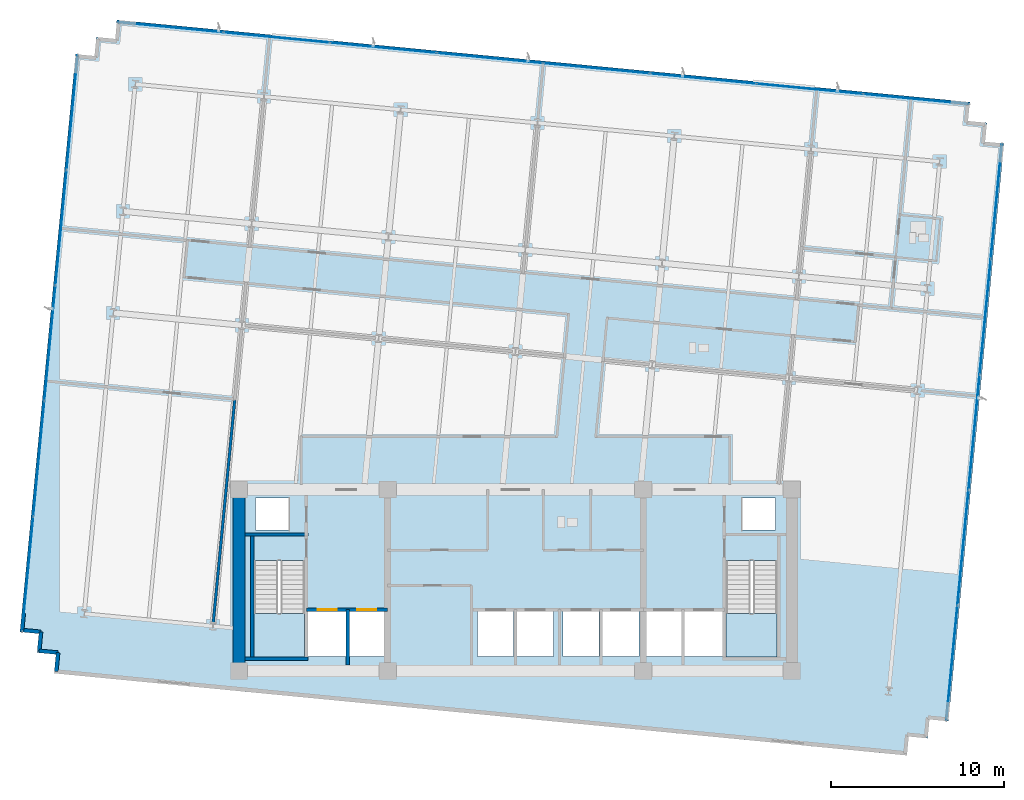
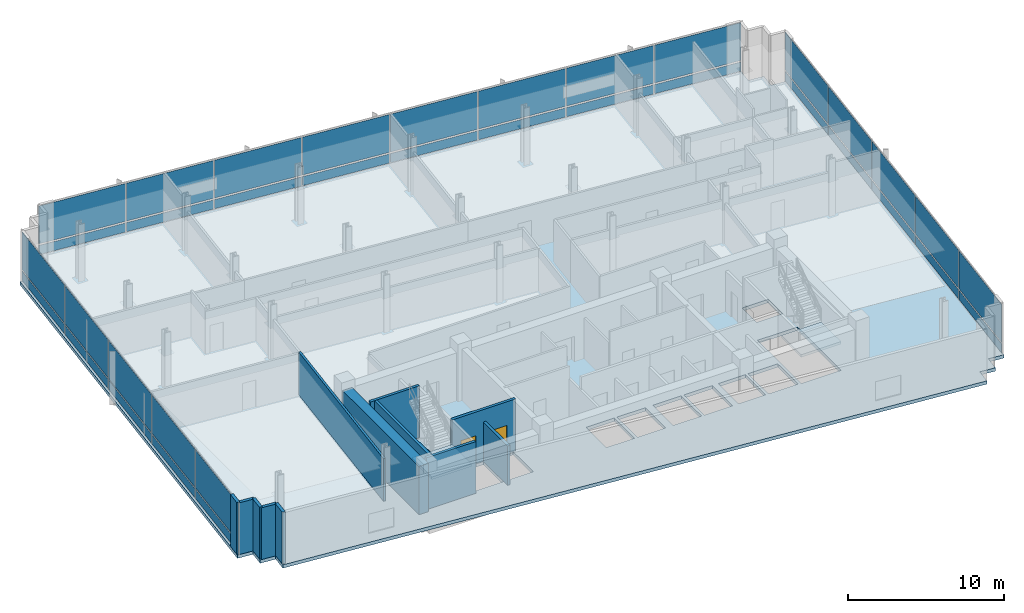
# One storey, part 10 of 17: 36 plates, 12 walls, 3 slabs, 2 doors, 2 openings, 5 elements without a shape of their own.
"""IFC4 building model written with IfcOpenShell, lengths in metres."""

from ifc_helpers import new_model, si_unit, direction, frame, frame_2d, origin, origin_2d, place, context, subcontext, project, spatial, polyline, rectangle, outline, extrude, material, layer, layer_set, type_object, element, fill, aggregate, save


model = new_model("IFC4")

# Units and contexts
model_context = context("Model", 3, precision=1e-05, world=origin(), true_north=direction((0.0, 1.0)))
body_context = subcontext(model_context, "Body", "Model", "MODEL_VIEW")
ifc_project = project(units=[si_unit("LENGTHUNIT", "METRE"), si_unit("AREAUNIT", "SQUARE_METRE"), si_unit("VOLUMEUNIT", "CUBIC_METRE"), si_unit("PLANEANGLEUNIT", "RADIAN"), si_unit("MASSUNIT", "GRAM", prefix="KILO")], contexts=[model_context])

# Site, building, storey
site_placement = place(None, origin())
site = spatial("IfcSite", under=ifc_project, at=site_placement, CompositionType="ELEMENT")
building_placement = place(site_placement, origin())
building = spatial("IfcBuilding", under=site, at=building_placement, Name="Solmavex Isthmus Hotel", CompositionType="ELEMENT")
storey_placement = place(building_placement, frame((0.0, 0.0, 181.800048828125)))
storey = spatial("IfcBuildingStorey", under=building, at=storey_placement, Name="L49", CompositionType="ELEMENT", Elevation=181.800048828125)

# Curtain wall, plates
ifc_material_1 = material(Name="Aluminium alloy 6063-T6", Category="aluminium")
curtain_wall_type = type_object("IfcCurtainWallType", Name="CW-SYS-05", PredefinedType="NOTDEFINED", material=ifc_material_1)
curtain_wall_1_placement = place(storey_placement, origin())
curtain_wall_1 = element("IfcCurtainWall", 1, at=curtain_wall_1_placement, inside=storey, type_object=curtain_wall_type, Name="Stick Curtain Wall CWL-L49-N1", PredefinedType="NOTDEFINED")
ifc_material_2 = material(Name="Clear low-E laminated glass", Category="glass")
ifc_layer_1 = layer(ifc_material_2, 0.0380859375)
ifc_layer_set_1 = layer_set([ifc_layer_1], Name="Clear low-E laminated glass")
plate_type = type_object("IfcPlateType", Name="CW-SYS-05-PNL", PredefinedType="CURTAIN_PANEL", material=ifc_layer_set_1)
plate_1_placement = place(storey_placement, frame((-19.974365234375, 24.271484375, 0.125), z_axis=(0.0, 0.0, 1.0), x_axis=(0.995396216037, -0.09584556901, 0.0)))
plate_1 = element("IfcPlate", 2, at=plate_1_placement, type_object=plate_type, Name="CW-05 panel 1.1", PredefinedType="CURTAIN_PANEL", context=body_context, shape_type="SweptSolid", body=[
    extrude(rectangle(XDim=6.1025390625, YDim=0.0380859375, at=origin_2d()), origin(), (0.0, 0.0, 1.0), 0.71240234375),
])
plate_2_placement = place(storey_placement, frame((-19.974365234375, 24.271484375, 0.96240234375), z_axis=(0.0, 0.0, 1.0), x_axis=(0.995396216037, -0.09584556901, 0.0)))
plate_2 = element("IfcPlate", 3, at=plate_2_placement, type_object=plate_type, Name="CW-05 panel 1.2", PredefinedType="CURTAIN_PANEL", context=body_context, shape_type="SweptSolid", body=[
    extrude(rectangle(XDim=6.1025390625, YDim=0.0380859375, at=origin_2d()), origin(), (0.0, 0.0, 1.0), 2.96240234375),
])
plate_3_placement = place(storey_placement, frame((-13.819091796875, 23.6787109375, 0.125), z_axis=(0.0, 0.0, 1.0), x_axis=(0.995396216037, -0.09584556901, 0.0)))
plate_3 = element("IfcPlate", 4, at=plate_3_placement, type_object=plate_type, Name="CW-05 panel 2.1", PredefinedType="CURTAIN_PANEL", context=body_context, shape_type="SweptSolid", body=[
    extrude(rectangle(XDim=6.135009765625, YDim=0.0380859375, at=origin_2d()), origin(), (0.0, 0.0, 1.0), 0.71240234375),
])
plate_4_placement = place(storey_placement, frame((-13.819091796875, 23.6787109375, 0.96240234375), z_axis=(0.0, 0.0, 1.0), x_axis=(0.995396216037, -0.09584556901, 0.0)))
plate_4 = element("IfcPlate", 5, at=plate_4_placement, type_object=plate_type, Name="CW-05 panel 2.2", PredefinedType="CURTAIN_PANEL", context=body_context, shape_type="SweptSolid", body=[
    extrude(rectangle(XDim=6.135009765625, YDim=0.0380859375, at=origin_2d()), origin(), (0.0, 0.0, 1.0), 2.96240234375),
])
plate_5_placement = place(storey_placement, frame((-7.647705078125, 23.08447265625, 0.125), z_axis=(0.0, 0.0, 1.0), x_axis=(0.995396216037, -0.09584556901, 0.0)))
plate_5 = element("IfcPlate", 6, at=plate_5_placement, type_object=plate_type, Name="CW-05 panel 3.1", PredefinedType="CURTAIN_PANEL", context=body_context, shape_type="SweptSolid", body=[
    extrude(rectangle(XDim=6.135009765625, YDim=0.0380859375, at=origin_2d()), origin(), (0.0, 0.0, 1.0), 0.71240234375),
])
plate_6_placement = place(storey_placement, frame((-7.647705078125, 23.08447265625, 0.96240234375), z_axis=(0.0, 0.0, 1.0), x_axis=(0.995396216037, -0.09584556901, 0.0)))
plate_6 = element("IfcPlate", 7, at=plate_6_placement, type_object=plate_type, Name="CW-05 panel 3.2", PredefinedType="CURTAIN_PANEL", context=body_context, shape_type="SweptSolid", body=[
    extrude(rectangle(XDim=6.135009765625, YDim=0.0380859375, at=origin_2d()), origin(), (0.0, 0.0, 1.0), 2.96240234375),
])
plate_7_placement = place(storey_placement, frame((-1.47607421875, 22.490234375, 0.125), z_axis=(0.0, 0.0, 1.0), x_axis=(0.995396216037, -0.09584556901, 0.0)))
plate_7 = element("IfcPlate", 8, at=plate_7_placement, type_object=plate_type, Name="CW-05 panel 4.1", PredefinedType="CURTAIN_PANEL", context=body_context, shape_type="SweptSolid", body=[
    extrude(rectangle(XDim=6.135009765625, YDim=0.0380859375, at=origin_2d()), origin(), (0.0, 0.0, 1.0), 0.71240234375),
])
plate_8_placement = place(storey_placement, frame((-1.47607421875, 22.490234375, 0.96240234375), z_axis=(0.0, 0.0, 1.0), x_axis=(0.995396216037, -0.09584556901, 0.0)))
plate_8 = element("IfcPlate", 9, at=plate_8_placement, type_object=plate_type, Name="CW-05 panel 4.2", PredefinedType="CURTAIN_PANEL", context=body_context, shape_type="SweptSolid", body=[
    extrude(rectangle(XDim=6.135009765625, YDim=0.0380859375, at=origin_2d()), origin(), (0.0, 0.0, 1.0), 2.96240234375),
])
plate_9_placement = place(storey_placement, frame((4.6953125, 21.89599609375, 0.125), z_axis=(0.0, 0.0, 1.0), x_axis=(0.995396216037, -0.09584556901, 0.0)))
plate_9 = element("IfcPlate", 10, at=plate_9_placement, type_object=plate_type, Name="CW-05 panel 5.1", PredefinedType="CURTAIN_PANEL", context=body_context, shape_type="SweptSolid", body=[
    extrude(rectangle(XDim=6.135009765625, YDim=0.0380859375, at=origin_2d()), origin(), (0.0, 0.0, 1.0), 0.71240234375),
])
plate_10_placement = place(storey_placement, frame((4.6953125, 21.89599609375, 0.96240234375), z_axis=(0.0, 0.0, 1.0), x_axis=(0.995396216037, -0.09584556901, 0.0)))
plate_10 = element("IfcPlate", 11, at=plate_10_placement, type_object=plate_type, Name="CW-05 panel 5.2", PredefinedType="CURTAIN_PANEL", context=body_context, shape_type="SweptSolid", body=[
    extrude(rectangle(XDim=6.135009765625, YDim=0.0380859375, at=origin_2d()), origin(), (0.0, 0.0, 1.0), 2.96240234375),
])
plate_11_placement = place(storey_placement, frame((10.86669921875, 21.3017578125, 0.125), z_axis=(0.0, 0.0, 1.0), x_axis=(0.995396216037, -0.09584556901, 0.0)))
plate_11 = element("IfcPlate", 12, at=plate_11_placement, type_object=plate_type, Name="CW-05 panel 6.1", PredefinedType="CURTAIN_PANEL", context=body_context, shape_type="SweptSolid", body=[
    extrude(rectangle(XDim=6.135009765625, YDim=0.0380859375, at=origin_2d()), origin(), (0.0, 0.0, 1.0), 0.71240234375),
])
plate_12_placement = place(storey_placement, frame((10.86669921875, 21.3017578125, 0.96240234375), z_axis=(0.0, 0.0, 1.0), x_axis=(0.995396216037, -0.09584556901, 0.0)))
plate_12 = element("IfcPlate", 13, at=plate_12_placement, type_object=plate_type, Name="CW-05 panel 6.2", PredefinedType="CURTAIN_PANEL", context=body_context, shape_type="SweptSolid", body=[
    extrude(rectangle(XDim=6.135009765625, YDim=0.0380859375, at=origin_2d()), origin(), (0.0, 0.0, 1.0), 2.96240234375),
])
plate_13_placement = place(storey_placement, frame((17.0380859375, 20.70751953125, 0.125), z_axis=(0.0, 0.0, 1.0), x_axis=(0.995396216037, -0.09584556901, 0.0)))
plate_13 = element("IfcPlate", 14, at=plate_13_placement, type_object=plate_type, Name="CW-05 panel 7.1", PredefinedType="CURTAIN_PANEL", context=body_context, shape_type="SweptSolid", body=[
    extrude(rectangle(XDim=6.135009765625, YDim=0.0380859375, at=origin_2d()), origin(), (0.0, 0.0, 1.0), 0.71240234375),
])
plate_14_placement = place(storey_placement, frame((17.0380859375, 20.70751953125, 0.96240234375), z_axis=(0.0, 0.0, 1.0), x_axis=(0.995396216037, -0.09584556901, 0.0)))
plate_14 = element("IfcPlate", 15, at=plate_14_placement, type_object=plate_type, Name="CW-05 panel 7.2", PredefinedType="CURTAIN_PANEL", context=body_context, shape_type="SweptSolid", body=[
    extrude(rectangle(XDim=6.135009765625, YDim=0.0380859375, at=origin_2d()), origin(), (0.0, 0.0, 1.0), 2.96240234375),
])
plate_15_placement = place(storey_placement, frame((23.193603515625, 20.11474609375, 0.125), z_axis=(0.0, 0.0, 1.0), x_axis=(0.995396216037, -0.09584556901, 0.0)))
plate_15 = element("IfcPlate", 16, at=plate_15_placement, type_object=plate_type, Name="CW-05 panel 8.1", PredefinedType="CURTAIN_PANEL", context=body_context, shape_type="SweptSolid", body=[
    extrude(rectangle(XDim=6.1025390625, YDim=0.0380859375, at=origin_2d()), origin(), (0.0, 0.0, 1.0), 0.71240234375),
])
plate_16_placement = place(storey_placement, frame((23.193603515625, 20.11474609375, 0.96240234375), z_axis=(0.0, 0.0, 1.0), x_axis=(0.995396216037, -0.09584556901, 0.0)))
plate_16 = element("IfcPlate", 17, at=plate_16_placement, type_object=plate_type, Name="CW-05 panel 8.2", PredefinedType="CURTAIN_PANEL", context=body_context, shape_type="SweptSolid", body=[
    extrude(rectangle(XDim=6.1025390625, YDim=0.0380859375, at=origin_2d()), origin(), (0.0, 0.0, 1.0), 2.96240234375),
])
aggregate(curtain_wall_1, [plate_1, plate_2, plate_3, plate_4, plate_5, plate_6, plate_7, plate_8, plate_9, plate_10, plate_11, plate_12, plate_13, plate_14, plate_15, plate_16])

curtain_wall_2_placement = place(storey_placement, origin())
curtain_wall_2 = element("IfcCurtainWall", 18, at=curtain_wall_2_placement, inside=storey, type_object=curtain_wall_type, Name="Stick Curtain Wall CWL-L49-W1", PredefinedType="NOTDEFINED")
plate_17_placement = place(storey_placement, frame((-28.242919921875, -7.385498046875, 0.125), z_axis=(0.0, 0.0, 1.0), x_axis=(0.09584583902, 0.995396190038, 0.0)))
plate_17 = element("IfcPlate", 19, at=plate_17_placement, type_object=plate_type, Name="CW-05 panel 1.1", PredefinedType="CURTAIN_PANEL", context=body_context, shape_type="SweptSolid", body=[
    extrude(rectangle(XDim=6.62255859375, YDim=0.0380859375, at=origin_2d()), origin(), (0.0, 0.0, 1.0), 0.71240234375),
])
plate_18_placement = place(storey_placement, frame((-28.242919921875, -7.385498046875, 0.96240234375), z_axis=(0.0, 0.0, 1.0), x_axis=(0.09584583902, 0.995396190038, 0.0)))
plate_18 = element("IfcPlate", 20, at=plate_18_placement, type_object=plate_type, Name="CW-05 panel 1.2", PredefinedType="CURTAIN_PANEL", context=body_context, shape_type="SweptSolid", body=[
    extrude(rectangle(XDim=6.62255859375, YDim=0.0380859375, at=origin_2d()), origin(), (0.0, 0.0, 1.0), 2.96240234375),
])
plate_19_placement = place(storey_placement, frame((-27.600341796875, -0.712646484375, 0.125), z_axis=(0.0, 0.0, 1.0), x_axis=(0.09584583902, 0.995396190038, 0.0)))
plate_19 = element("IfcPlate", 21, at=plate_19_placement, type_object=plate_type, Name="CW-05 panel 2.1", PredefinedType="CURTAIN_PANEL", context=body_context, shape_type="SweptSolid", body=[
    extrude(rectangle(XDim=6.655029296875, YDim=0.0380859375, at=origin_2d()), origin(), (0.0, 0.0, 1.0), 0.71240234375),
])
plate_20_placement = place(storey_placement, frame((-27.600341796875, -0.712646484375, 0.96240234375), z_axis=(0.0, 0.0, 1.0), x_axis=(0.09584583902, 0.995396190038, 0.0)))
plate_20 = element("IfcPlate", 22, at=plate_20_placement, type_object=plate_type, Name="CW-05 panel 2.2", PredefinedType="CURTAIN_PANEL", context=body_context, shape_type="SweptSolid", body=[
    extrude(rectangle(XDim=6.655029296875, YDim=0.0380859375, at=origin_2d()), origin(), (0.0, 0.0, 1.0), 2.96240234375),
])
plate_21_placement = place(storey_placement, frame((-26.956298828125, 5.976318359375, 0.125), z_axis=(0.0, 0.0, 1.0), x_axis=(0.09584583902, 0.995396190038, 0.0)))
plate_21 = element("IfcPlate", 23, at=plate_21_placement, type_object=plate_type, Name="CW-05 panel 3.1", PredefinedType="CURTAIN_PANEL", context=body_context, shape_type="SweptSolid", body=[
    extrude(rectangle(XDim=6.655029296875, YDim=0.0380859375, at=origin_2d()), origin(), (0.0, 0.0, 1.0), 0.71240234375),
])
plate_22_placement = place(storey_placement, frame((-26.956298828125, 5.976318359375, 0.96240234375), z_axis=(0.0, 0.0, 1.0), x_axis=(0.09584583902, 0.995396190038, 0.0)))
plate_22 = element("IfcPlate", 24, at=plate_22_placement, type_object=plate_type, Name="CW-05 panel 3.2", PredefinedType="CURTAIN_PANEL", context=body_context, shape_type="SweptSolid", body=[
    extrude(rectangle(XDim=6.655029296875, YDim=0.0380859375, at=origin_2d()), origin(), (0.0, 0.0, 1.0), 2.96240234375),
])
plate_23_placement = place(storey_placement, frame((-26.312255859375, 12.665283203125, 0.125), z_axis=(0.0, 0.0, 1.0), x_axis=(0.09584583902, 0.995396190038, 0.0)))
plate_23 = element("IfcPlate", 25, at=plate_23_placement, type_object=plate_type, Name="CW-05 panel 4.1", PredefinedType="CURTAIN_PANEL", context=body_context, shape_type="SweptSolid", body=[
    extrude(rectangle(XDim=6.655029296875, YDim=0.0380859375, at=origin_2d()), origin(), (0.0, 0.0, 1.0), 0.71240234375),
])
plate_24_placement = place(storey_placement, frame((-26.312255859375, 12.665283203125, 0.96240234375), z_axis=(0.0, 0.0, 1.0), x_axis=(0.09584583902, 0.995396190038, 0.0)))
plate_24 = element("IfcPlate", 26, at=plate_24_placement, type_object=plate_type, Name="CW-05 panel 4.2", PredefinedType="CURTAIN_PANEL", context=body_context, shape_type="SweptSolid", body=[
    extrude(rectangle(XDim=6.655029296875, YDim=0.0380859375, at=origin_2d()), origin(), (0.0, 0.0, 1.0), 2.96240234375),
])
plate_25_placement = place(storey_placement, frame((-25.669677734375, 19.33837890625, 0.125), z_axis=(0.0, 0.0, 1.0), x_axis=(0.09584583902, 0.995396190038, 0.0)))
plate_25 = element("IfcPlate", 27, at=plate_25_placement, type_object=plate_type, Name="CW-05 panel 5.1", PredefinedType="CURTAIN_PANEL", context=body_context, shape_type="SweptSolid", body=[
    extrude(rectangle(XDim=6.62255859375, YDim=0.0380859375, at=origin_2d()), origin(), (0.0, 0.0, 1.0), 0.71240234375),
])
plate_26_placement = place(storey_placement, frame((-25.669677734375, 19.33837890625, 0.96240234375), z_axis=(0.0, 0.0, 1.0), x_axis=(0.09584583902, 0.995396190038, 0.0)))
plate_26 = element("IfcPlate", 28, at=plate_26_placement, type_object=plate_type, Name="CW-05 panel 5.2", PredefinedType="CURTAIN_PANEL", context=body_context, shape_type="SweptSolid", body=[
    extrude(rectangle(XDim=6.62255859375, YDim=0.0380859375, at=origin_2d()), origin(), (0.0, 0.0, 1.0), 2.96240234375),
])
aggregate(curtain_wall_2, [plate_17, plate_18, plate_19, plate_20, plate_21, plate_22, plate_23, plate_24, plate_25, plate_26])

curtain_wall_3_placement = place(storey_placement, origin())
curtain_wall_3 = element("IfcCurtainWall", 29, at=curtain_wall_3_placement, inside=storey, type_object=curtain_wall_type, Name="Stick Curtain Wall CWL-L49-E1", PredefinedType="NOTDEFINED")
plate_27_placement = place(storey_placement, frame((25.26953125, -12.538330078125, 0.125), z_axis=(0.0, 0.0, 1.0), x_axis=(0.09584583902, 0.995396190038, 0.0)))
plate_27 = element("IfcPlate", 30, at=plate_27_placement, type_object=plate_type, Name="CW-05 panel 1.1", PredefinedType="CURTAIN_PANEL", context=body_context, shape_type="SweptSolid", body=[
    extrude(rectangle(XDim=6.62255859375, YDim=0.0380859375, at=origin_2d()), origin(), (0.0, 0.0, 1.0), 0.71240234375),
])
plate_28_placement = place(storey_placement, frame((25.26953125, -12.538330078125, 0.96240234375), z_axis=(0.0, 0.0, 1.0), x_axis=(0.09584583902, 0.995396190038, 0.0)))
plate_28 = element("IfcPlate", 31, at=plate_28_placement, type_object=plate_type, Name="CW-05 panel 1.2", PredefinedType="CURTAIN_PANEL", context=body_context, shape_type="SweptSolid", body=[
    extrude(rectangle(XDim=6.62255859375, YDim=0.0380859375, at=origin_2d()), origin(), (0.0, 0.0, 1.0), 2.96240234375),
])
plate_29_placement = place(storey_placement, frame((25.912109375, -5.865478515625, 0.125), z_axis=(0.0, 0.0, 1.0), x_axis=(0.09584583902, 0.995396190038, 0.0)))
plate_29 = element("IfcPlate", 32, at=plate_29_placement, type_object=plate_type, Name="CW-05 panel 2.1", PredefinedType="CURTAIN_PANEL", context=body_context, shape_type="SweptSolid", body=[
    extrude(rectangle(XDim=6.655029296875, YDim=0.0380859375, at=origin_2d()), origin(), (0.0, 0.0, 1.0), 0.71240234375),
])
plate_30_placement = place(storey_placement, frame((25.912109375, -5.865478515625, 0.96240234375), z_axis=(0.0, 0.0, 1.0), x_axis=(0.09584583902, 0.995396190038, 0.0)))
plate_30 = element("IfcPlate", 33, at=plate_30_placement, type_object=plate_type, Name="CW-05 panel 2.2", PredefinedType="CURTAIN_PANEL", context=body_context, shape_type="SweptSolid", body=[
    extrude(rectangle(XDim=6.655029296875, YDim=0.0380859375, at=origin_2d()), origin(), (0.0, 0.0, 1.0), 2.96240234375),
])
plate_31_placement = place(storey_placement, frame((26.55615234375, 0.82373046875, 0.125), z_axis=(0.0, 0.0, 1.0), x_axis=(0.09584583902, 0.995396190038, 0.0)))
plate_31 = element("IfcPlate", 34, at=plate_31_placement, type_object=plate_type, Name="CW-05 panel 3.1", PredefinedType="CURTAIN_PANEL", context=body_context, shape_type="SweptSolid", body=[
    extrude(rectangle(XDim=6.655029296875, YDim=0.0380859375, at=origin_2d()), origin(), (0.0, 0.0, 1.0), 0.71240234375),
])
plate_32_placement = place(storey_placement, frame((26.55615234375, 0.82373046875, 0.96240234375), z_axis=(0.0, 0.0, 1.0), x_axis=(0.09584583902, 0.995396190038, 0.0)))
plate_32 = element("IfcPlate", 35, at=plate_32_placement, type_object=plate_type, Name="CW-05 panel 3.2", PredefinedType="CURTAIN_PANEL", context=body_context, shape_type="SweptSolid", body=[
    extrude(rectangle(XDim=6.655029296875, YDim=0.0380859375, at=origin_2d()), origin(), (0.0, 0.0, 1.0), 2.96240234375),
])
plate_33_placement = place(storey_placement, frame((27.200439453125, 7.5126953125, 0.125), z_axis=(0.0, 0.0, 1.0), x_axis=(0.09584583902, 0.995396190038, 0.0)))
plate_33 = element("IfcPlate", 36, at=plate_33_placement, type_object=plate_type, Name="CW-05 panel 4.1", PredefinedType="CURTAIN_PANEL", context=body_context, shape_type="SweptSolid", body=[
    extrude(rectangle(XDim=6.655029296875, YDim=0.0380859375, at=origin_2d()), origin(), (0.0, 0.0, 1.0), 0.71240234375),
])
plate_34_placement = place(storey_placement, frame((27.200439453125, 7.5126953125, 0.96240234375), z_axis=(0.0, 0.0, 1.0), x_axis=(0.09584583902, 0.995396190038, 0.0)))
plate_34 = element("IfcPlate", 37, at=plate_34_placement, type_object=plate_type, Name="CW-05 panel 4.2", PredefinedType="CURTAIN_PANEL", context=body_context, shape_type="SweptSolid", body=[
    extrude(rectangle(XDim=6.655029296875, YDim=0.0380859375, at=origin_2d()), origin(), (0.0, 0.0, 1.0), 2.96240234375),
])
plate_35_placement = place(storey_placement, frame((27.8427734375, 14.185546875, 0.125), z_axis=(0.0, 0.0, 1.0), x_axis=(0.09584583902, 0.995396190038, 0.0)))
plate_35 = element("IfcPlate", 38, at=plate_35_placement, type_object=plate_type, Name="CW-05 panel 5.1", PredefinedType="CURTAIN_PANEL", context=body_context, shape_type="SweptSolid", body=[
    extrude(rectangle(XDim=6.62255859375, YDim=0.0380859375, at=origin_2d()), origin(), (0.0, 0.0, 1.0), 0.71240234375),
])
plate_36_placement = place(storey_placement, frame((27.8427734375, 14.185546875, 0.96240234375), z_axis=(0.0, 0.0, 1.0), x_axis=(0.09584583902, 0.995396190038, 0.0)))
plate_36 = element("IfcPlate", 39, at=plate_36_placement, type_object=plate_type, Name="CW-05 panel 5.2", PredefinedType="CURTAIN_PANEL", context=body_context, shape_type="SweptSolid", body=[
    extrude(rectangle(XDim=6.62255859375, YDim=0.0380859375, at=origin_2d()), origin(), (0.0, 0.0, 1.0), 2.96240234375),
])
aggregate(curtain_wall_3, [plate_27, plate_28, plate_29, plate_30, plate_31, plate_32, plate_33, plate_34, plate_35, plate_36])

# Slab
ifc_material_3 = material(Name="Concrete C40/50", Category="concrete")
ifc_layer_2 = layer(ifc_material_3, 0.260009765625)
ifc_layer_set_2 = layer_set([ifc_layer_2], Name="Concrete C40/50")
slab_type_1 = type_object("IfcSlabType", Name="SLAB-TYP-260", PredefinedType="FLOOR", material=ifc_layer_set_2)
slab_1_placement = place(storey_placement, frame((0.0, 0.0, -0.260009765625)))
element("IfcSlab", 40, at=slab_1_placement, inside=storey, type_object=slab_type_1, Name="Tower Structural Floor Slab L49", PredefinedType="FLOOR", context=body_context, shape_type="SweptSolid", body=[
    extrude(outline(polyline([(-25.612060546875, -13.240966796875), (21.56982421875, -17.7841796875), (22.664794921875, -17.889404296875), (22.770263671875, -16.794677734375), (23.865234375, -16.89990234375), (23.970458984375, -15.80517578125), (25.0654296875, -15.910400390625), (25.1708984375, -14.815673828125), (28.180419921875, 16.43994140625), (28.285888671875, 17.534912109375), (27.19091796875, 17.64013671875), (27.29638671875, 18.735107421875), (26.201416015625, 18.840576171875), (26.306884765625, 19.935546875), (25.2119140625, 20.041015625), (-21.9697265625, 24.583984375), (-23.064697265625, 24.689453125), (-23.170166015625, 23.594482421875), (-24.26513671875, 23.699951171875), (-24.37060546875, 22.60498046875), (-25.465576171875, 22.71044921875), (-25.57080078125, 21.615478515625), (-28.58056640625, -9.639892578125), (-28.685791015625, -10.73486328125), (-27.591064453125, -10.84033203125), (-27.6962890625, -11.935302734375), (-26.6015625, -12.04052734375), (-26.706787109375, -13.135498046875), (-25.612060546875, -13.240966796875)]), holes=[polyline([(-15.14990234375, -6.617919921875), (-15.14990234375, -12.199951171875), (-12.199951171875, -12.199951171875), (-12.199951171875, -6.617919921875), (-15.14990234375, -6.617919921875)]), polyline([(12.199951171875, -6.617919921875), (12.199951171875, -12.199951171875), (15.14990234375, -12.199951171875), (15.14990234375, -6.617919921875), (12.199951171875, -6.617919921875)]), polyline([(-12.0, -12.14990234375), (-9.800048828125, -12.14990234375), (-9.800048828125, -9.550048828125), (-12.0, -9.550048828125), (-12.0, -12.14990234375)]), polyline([(9.800048828125, -12.14990234375), (12.0, -12.14990234375), (12.0, -9.550048828125), (9.800048828125, -9.550048828125), (9.800048828125, -12.14990234375)]), polyline([(-9.60009765625, -12.14990234375), (-7.60009765625, -12.14990234375), (-7.60009765625, -9.550048828125), (-9.60009765625, -9.550048828125), (-9.60009765625, -12.14990234375)]), polyline([(7.60009765625, -12.14990234375), (9.60009765625, -12.14990234375), (9.60009765625, -9.550048828125), (7.60009765625, -9.550048828125), (7.60009765625, -12.14990234375)]), polyline([(-2.199951171875, -12.14990234375), (-0.10009765625, -12.14990234375), (-0.10009765625, -9.550048828125), (-2.199951171875, -9.550048828125), (-2.199951171875, -12.14990234375)]), polyline([(0.10009765625, -12.14990234375), (2.199951171875, -12.14990234375), (2.199951171875, -9.550048828125), (0.10009765625, -9.550048828125), (0.10009765625, -12.14990234375)]), polyline([(2.75, -12.14990234375), (4.85009765625, -12.14990234375), (4.85009765625, -9.550048828125), (2.75, -9.550048828125), (2.75, -12.14990234375)]), polyline([(5.050048828125, -12.14990234375), (7.14990234375, -12.14990234375), (7.14990234375, -9.550048828125), (5.050048828125, -9.550048828125), (5.050048828125, -12.14990234375)]), polyline([(-15.050048828125, -4.85009765625), (-13.14990234375, -4.85009765625), (-13.14990234375, -3.0), (-15.050048828125, -3.0), (-15.050048828125, -4.85009765625)]), polyline([(13.14990234375, -4.85009765625), (15.050048828125, -4.85009765625), (15.050048828125, -3.0), (13.14990234375, -3.0), (13.14990234375, -4.85009765625)])]), origin(), (0.0, 0.0, 1.0), 0.260009765625),
])

# Stair, slab
stair_type_1 = type_object("IfcStairType", Name="STR-ST-1", PredefinedType="HALF_TURN_STAIR", material=ifc_material_3)
stair_1_placement = place(storey_placement, origin())
stair_1 = element("IfcStair", 41, at=stair_1_placement, inside=storey, type_object=stair_type_1, Name="L49 Protected Exit Stair ST-1", PredefinedType="HALF_TURN_STAIR")
ifc_layer_3 = layer(ifc_material_3, 0.219970703125)
ifc_layer_set_3 = layer_set([ifc_layer_3], Name="Concrete C40/50")
slab_type_2 = type_object("IfcSlabType", Name="SLD-ST-1", PredefinedType="LANDING", material=ifc_layer_set_3)
slab_2_placement = place(storey_placement, frame((0.0, 0.0, 2.050048828125)))
slab_2 = element("IfcSlab", 42, at=slab_2_placement, type_object=slab_type_2, Name="ST-1 landing 1", PredefinedType="LANDING", context=body_context, shape_type="SweptSolid", body=[
    extrude(outline(polyline([(-15.14990234375, -9.679931640625), (-15.14990234375, -12.199951171875), (-12.199951171875, -12.199951171875), (-12.199951171875, -9.679931640625), (-15.14990234375, -9.679931640625)])), origin(), (0.0, 0.0, 1.0), 0.199951171875),
])
aggregate(stair_1, [slab_2])

stair_type_2 = type_object("IfcStairType", Name="STR-ST-2", PredefinedType="HALF_TURN_STAIR", material=ifc_material_3)
stair_2_placement = place(storey_placement, origin())
stair_2 = element("IfcStair", 43, at=stair_2_placement, inside=storey, type_object=stair_type_2, Name="L49 Protected Exit Stair ST-2", PredefinedType="HALF_TURN_STAIR")
ifc_layer_4 = layer(ifc_material_3, 0.219970703125)
ifc_layer_set_4 = layer_set([ifc_layer_4], Name="Concrete C40/50")
slab_type_3 = type_object("IfcSlabType", Name="SLD-ST-2", PredefinedType="LANDING", material=ifc_layer_set_4)
slab_3_placement = place(storey_placement, frame((0.0, 0.0, 2.050048828125)))
slab_3 = element("IfcSlab", 44, at=slab_3_placement, type_object=slab_type_3, Name="ST-2 landing 1", PredefinedType="LANDING", context=body_context, shape_type="SweptSolid", body=[
    extrude(outline(polyline([(12.199951171875, -9.679931640625), (12.199951171875, -12.199951171875), (15.14990234375, -12.199951171875), (15.14990234375, -9.679931640625), (12.199951171875, -9.679931640625)])), origin(), (0.0, 0.0, 1.0), 0.199951171875),
])
aggregate(stair_2, [slab_3])

# Walls
ifc_material_4 = material(Name="Precast Concrete C40/50", Category="concrete")
ifc_layer_5 = layer(ifc_material_4, 0.25)
ifc_layer_set_5 = layer_set([ifc_layer_5], Name="Precast Concrete C40/50")
wall_type_1 = type_object("IfcWallType", Name="EW-TWR-250", PredefinedType="STANDARD", material=ifc_layer_set_5)
for number, where, z_axis, x_axis, name in (
    (45, (-26.5869140625, -13.03662109375, 0.0), (0.0, 0.0, 1.0), (0.095877334176, 0.995393156894, 0.0), "Serrated Corner Facade Panel L49-01"),
    (46, (-26.4814453125, -11.941650390625, 0.0), (0.0, 0.0, 1.0), (-0.995393156894, 0.095877334176, 0.0), "Serrated Corner Facade Panel L49-02"),
    (47, (-27.576416015625, -11.836181640625, 0.0), (0.0, 0.0, 1.0), (0.095877334176, 0.995393156894, 0.0), "Serrated Corner Facade Panel L49-03"),
    (48, (-27.470947265625, -10.7412109375, 0.0), (0.0, 0.0, 1.0), (-0.995414313875, 0.095657429048, 0.0), "Serrated Corner Facade Panel L49-04"),
):
    element("IfcWall", number, at=place(storey_placement, frame(where, z_axis=z_axis, x_axis=x_axis)), inside=storey, type_object=wall_type_1, Name=name, PredefinedType="STANDARD", context=body_context, shape_type="SweptSolid", body=[
        extrude(rectangle(XDim=1.10009765625, YDim=0.219970703125, at=frame_2d((0.550048828125, 0.0))), origin(), (0.0, 0.0, 1.0), 4.050048828125),
    ])
wall_1_placement = place(storey_placement, frame((-28.56591796875, -10.635986328125, 0.0), z_axis=(0.0, 0.0, 1.0), x_axis=(0.095914428506, 0.995389583231, 0.0)))
element("IfcWall", 49, at=wall_1_placement, inside=storey, type_object=wall_type_1, Name="Serrated Corner Facade Panel L49-05", PredefinedType="STANDARD", context=body_context, shape_type="SweptSolid", body=[
    extrude(rectangle(XDim=0.990234375, YDim=0.219970703125, at=frame_2d((0.4951171875, 0.0))), origin(), (0.0, 0.0, 1.0), 4.050048828125),
])
ifc_material_5 = material(Name="Gypsum plasterboard lining", Category="gypsum")
ifc_layer_6 = layer(ifc_material_5, 0.159912109375)
ifc_layer_set_6 = layer_set([ifc_layer_6], Name="Gypsum plasterboard lining")
wall_type_2 = type_object("IfcWallType", Name="IW-COMP-160", PredefinedType="PARTITIONING", material=ifc_layer_set_6)
wall_2_placement = place(storey_placement, frame((-17.497802734375, -10.228759765625, 0.0), z_axis=(0.0, 0.0, 1.0), x_axis=(0.095841963464, 0.995396563205, 0.0)))
element("IfcWall", 50, at=wall_2_placement, inside=storey, type_object=wall_type_2, Name="Interior Partition Wall W-L49-P051", PredefinedType="PARTITIONING", context=body_context, shape_type="SweptSolid", body=[
    extrude(rectangle(XDim=13.10595703125, YDim=0.159912109375, at=frame_2d((6.552978515625, 0.0))), origin(), (0.0, 0.0, 1.0), 3.33935546875),
])

# Wall, openings, doors
ifc_layer_7 = layer(ifc_material_3, 0.199951171875)
ifc_layer_set_7 = layer_set([ifc_layer_7], Name="Concrete C40/50")
wall_type_3 = type_object("IfcWallType", Name="IW-SHAFT-200", PredefinedType="PARTITIONING", material=ifc_layer_set_7)
wall_3_placement = place(storey_placement, frame((-12.10009765625, -9.449951171875, 0.0), z_axis=(0.0, 0.0, 1.0), x_axis=(1.0, 0.0, 0.0)))
wall_3 = element("IfcWall", 51, at=wall_3_placement, inside=storey, type_object=wall_type_3, Name="Interior Partition Wall W-L49-FFLW-S", PredefinedType="PARTITIONING", context=body_context, shape_type="SweptSolid", body=[
    extrude(rectangle(XDim=4.7001953125, YDim=0.199951171875, at=frame_2d((2.35009765625, 0.0))), origin(), (0.0, 0.0, 1.0), 4.050048828125),
])
opening_1_placement = place(wall_3_placement, frame((0.64990234375, 0.0, 0.0)))
opening_1 = element("IfcOpeningElement", 52, at=opening_1_placement, cuts=wall_3, Name="Opening LD-FF", PredefinedType="OPENING", context=body_context, shape_type="SweptSolid", body=[
    extrude(rectangle(XDim=1.10009765625, YDim=2.199951171875, at=frame_2d((0.550048828125, 1.10009765625))), frame((0.0, 0.10986328125, 0.0), z_axis=(0.0, -1.0, 0.0), x_axis=(1.0, 0.0, 0.0)), (0.0, 0.0, 1.0), 0.219970703125),
])
opening_2_placement = place(wall_3_placement, frame((2.949951171875, 0.0, 0.0)))
opening_2 = element("IfcOpeningElement", 53, at=opening_2_placement, cuts=wall_3, Name="Opening LD-SV", PredefinedType="OPENING", context=body_context, shape_type="SweptSolid", body=[
    extrude(rectangle(XDim=1.10009765625, YDim=2.199951171875, at=frame_2d((0.550048828125, 1.10009765625))), frame((0.0, 0.10986328125, 0.0), z_axis=(0.0, -1.0, 0.0), x_axis=(1.0, 0.0, 0.0)), (0.0, 0.0, 1.0), 0.219970703125),
])
ifc_material_6 = material(Name="Stainless steel 316", Category="steel")
door_type_1 = type_object("IfcDoorType", Name="LDR-FF-1100", OperationType="NOTDEFINED", PredefinedType="DOOR", material=ifc_material_6)
door_1_placement = place(opening_1_placement, origin())
door_1 = element("IfcDoor", 54, at=door_1_placement, inside=storey, type_object=door_type_1, Name="Lift Landing Door FFL-1 L49", OperationType="SLIDING_TO_LEFT", OverallHeight=2.199951171875, OverallWidth=1.10009765625, PredefinedType="DOOR", context=body_context, shape_type="SweptSolid", body=[
    extrude(rectangle(XDim=1.10009765625, YDim=2.199951171875, at=frame_2d((0.550048828125, 1.10009765625))), frame((0.0, 0.02490234375, 0.0), z_axis=(0.0, -1.0, 0.0), x_axis=(1.0, 0.0, 0.0)), (0.0, 0.0, 1.0), 0.050048828125),
])
fill(opening_1, door_1)
door_type_2 = type_object("IfcDoorType", Name="LDR-SV-1100", OperationType="NOTDEFINED", PredefinedType="DOOR", material=ifc_material_6)
door_2_placement = place(opening_2_placement, origin())
door_2 = element("IfcDoor", 55, at=door_2_placement, inside=storey, type_object=door_type_2, Name="Lift Landing Door SVL-1 L49", OperationType="SLIDING_TO_RIGHT", OverallHeight=2.199951171875, OverallWidth=1.10009765625, PredefinedType="DOOR", context=body_context, shape_type="SweptSolid", body=[
    extrude(rectangle(XDim=1.10009765625, YDim=2.199951171875, at=frame_2d((0.550048828125, 1.10009765625))), frame((0.0, 0.02490234375, 0.0), z_axis=(0.0, -1.0, 0.0), x_axis=(1.0, 0.0, 0.0)), (0.0, 0.0, 1.0), 0.050048828125),
])
fill(opening_2, door_2)

# Walls
wall_4_placement = place(storey_placement, frame((-9.699951171875, -12.64990234375, 0.0), z_axis=(0.0, 0.0, 1.0), x_axis=(0.0, 1.0, 0.0)))
element("IfcWall", 56, at=wall_4_placement, inside=storey, type_object=wall_type_3, Name="Interior Partition Wall W-L49-FFLW-M", PredefinedType="PARTITIONING", context=body_context, shape_type="SweptSolid", body=[
    extrude(rectangle(XDim=3.199951171875, YDim=0.199951171875, at=frame_2d((1.60009765625, 0.0))), origin(), (0.0, 0.0, 1.0), 3.0849609375),
])
ifc_material_7 = material(Name="Concrete C60/75", Category="concrete")
ifc_layer_8 = layer(ifc_material_7, 0.699951171875)
ifc_layer_set_8 = layer_set([ifc_layer_8], Name="Concrete C60/75")
wall_type_4 = type_object("IfcWallType", Name="WALL-CW-700", PredefinedType="SHEAR", material=ifc_layer_set_8)
wall_5_placement = place(storey_placement, frame((-16.0, -12.64990234375, 0.0), z_axis=(0.0, 0.0, 1.0), x_axis=(0.0, 1.0, 0.0)))
element("IfcWall", 57, at=wall_5_placement, inside=storey, type_object=wall_type_4, Name="Core Shear Wall West L49", PredefinedType="SHEAR", context=body_context, shape_type="SweptSolid", body=[
    extrude(rectangle(XDim=9.7998046875, YDim=0.699951171875, at=frame_2d((4.89990234375, 0.0))), origin(), (0.0, 0.0, 1.0), 3.77001953125),
])
ifc_layer_9 = layer(ifc_material_3, 0.199951171875)
ifc_layer_set_9 = layer_set([ifc_layer_9], Name="Concrete C40/50")
wall_type_5 = type_object("IfcWallType", Name="WALL-SW-200", PredefinedType="SOLIDWALL", material=ifc_layer_set_9)
for number, where, z_axis, x_axis, name in (
    (58, (-15.64990234375, -12.300048828125, 0.0), (0.0, 0.0, 1.0), (1.0, 0.0, 0.0), "Stairwell Structural Wall SW-L49-ST1-S"),
    (59, (-15.64990234375, -5.10009765625, 0.0), (0.0, 0.0, 1.0), (1.0, 0.0, 0.0), "Stairwell Structural Wall SW-L49-ST1-N"),
):
    element("IfcWall", number, at=place(storey_placement, frame(where, z_axis=z_axis, x_axis=x_axis)), inside=storey, type_object=wall_type_5, Name=name, PredefinedType="SOLIDWALL", context=body_context, shape_type="SweptSolid", body=[
        extrude(rectangle(XDim=3.64990234375, YDim=0.199951171875, at=frame_2d((1.824951171875, 0.0))), origin(), (0.0, 0.0, 1.0), 4.050048828125),
    ])
wall_6_placement = place(storey_placement, frame((-15.25, -12.199951171875, 0.0), z_axis=(0.0, 0.0, 1.0), x_axis=(0.0, 1.0, 0.0)))
element("IfcWall", 60, at=wall_6_placement, inside=storey, type_object=wall_type_5, Name="Stairwell Structural Wall SW-L49-ST1-W", PredefinedType="SOLIDWALL", context=body_context, shape_type="SweptSolid", body=[
    extrude(rectangle(XDim=7.0, YDim=0.199951171875, at=frame_2d((3.5, 0.0))), origin(), (0.0, 0.0, 1.0), 4.050048828125),
])

save(model, "model.ifc")
